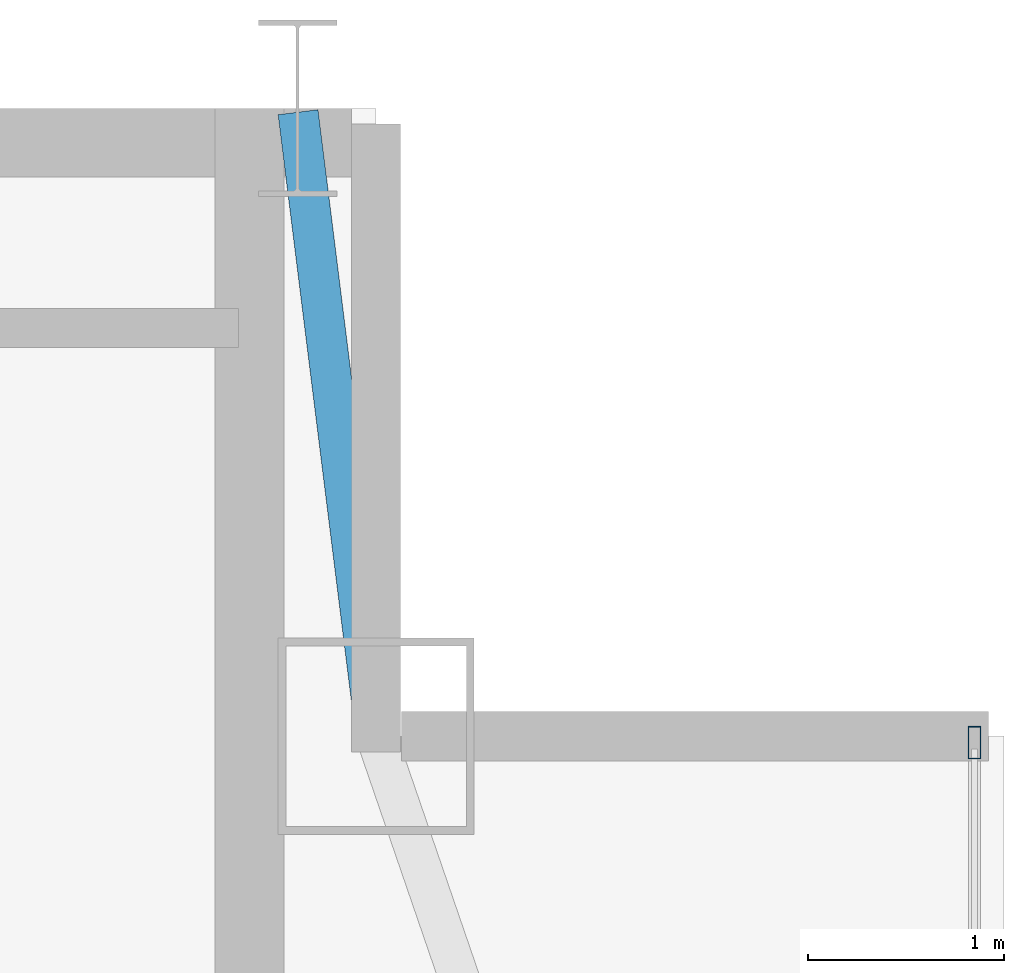
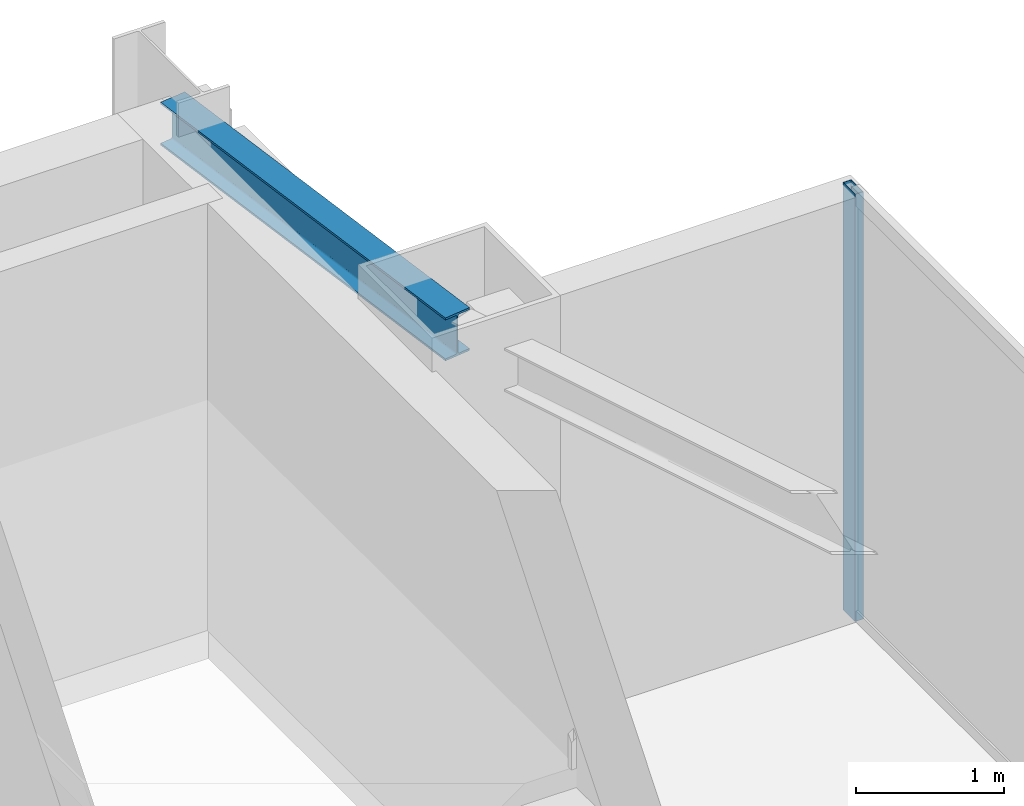
# One storey, part 16 of 21: 1 beam, 1 member, 1 element without a shape of its own.
"""IFC4 building model written with IfcOpenShell, lengths in metres."""

from ifc_helpers import new_model, si_unit, direction, frame, origin, origin_2d, place, context, subcontext, project, spatial, hollow_rectangle, i_section, extrude, source, transform, mapped, material, layer, layer_set, material_profile, profile_set, type_object, type_shapes, element, aggregate, save


model = new_model("IFC4")

# Units and contexts
model_context = context("Model", 3, precision=1e-05, world=origin(), true_north=direction((0.0, 1.0)))
body_context = subcontext(model_context, "Body", "Model", "MODEL_VIEW")
ifc_project = project(units=[si_unit("LENGTHUNIT", "METRE"), si_unit("AREAUNIT", "SQUARE_METRE"), si_unit("VOLUMEUNIT", "CUBIC_METRE"), si_unit("PLANEANGLEUNIT", "RADIAN"), si_unit("MASSUNIT", "GRAM", prefix="KILO")], contexts=[model_context])

# Site, building, storey
site_placement = place(None, origin())
site = spatial("IfcSite", under=ifc_project, at=site_placement, CompositionType="ELEMENT")
building_placement = place(site_placement, origin())
building = spatial("IfcBuilding", under=site, at=building_placement, Name="Varnel Quay Broadcast Tower", CompositionType="ELEMENT")
storey_placement = place(building_placement, frame((0.0, 0.0, 296.39990234375)))
storey = spatial("IfcBuildingStorey", under=building, at=storey_placement, Name="L74", CompositionType="ELEMENT", Elevation=296.39990234375)

# Beam
ifc_material_1 = material(Name="Structural Steel CSA G40.21 350W", Category="steel")
ifc_material_profile_1 = material_profile(ifc_material_1, i_section(OverallWidth=0.205078125, OverallDepth=0.35400390625, WebThickness=0.009521484375, FlangeThickness=0.016845703125, FilletRadius=0.012939453125, at=origin_2d()), Name="W360X79")
ifc_profile_set_1 = profile_set([ifc_material_profile_1], Name="Structural Steel CSA G40.21 350W")
beam_type = type_object("IfcBeamType", Name="Beam_W360X79", PredefinedType="SPANDREL", material=ifc_profile_set_1)
shared_shape_1 = source(origin(), body_context, "Body", "SweptSolid", [
    extrude(i_section(OverallWidth=0.205078125, OverallDepth=0.35400390625, WebThickness=0.009521484375, FlangeThickness=0.016845703125, FilletRadius=0.012939453125, at=origin_2d()), origin(), (0.0, 0.0, 1.0), 3.18505859375),
])
type_shapes(beam_type, [shared_shape_1])
beam_placement = place(storey_placement, frame((52.402587890625, 46.7802734375, 3.343017578125), z_axis=(0.124025300311, -0.992279055953, 0.0), x_axis=(0.992279055953, 0.124025300311, 0.0)))
element("IfcBeam", 1, at=beam_placement, inside=storey, type_object=beam_type, Name="L74 NE Tie Spandrel", PredefinedType="SPANDREL", context=body_context, shape_type="MappedRepresentation", body=[
    mapped(shared_shape_1, transform((0.0, 0.0, 0.0), x_axis=(1.0, 0.0, 0.0), y_axis=(0.0, 1.0, 0.0), z_axis=(0.0, 0.0, 1.0), scale=1.0)),
])

# Curtain wall, member
ifc_material_2 = material(Name="Anodised Bronze Aluminium 6063-T6", Category="aluminium")
ifc_layer = layer(ifc_material_2, 0.18994140625, Name="Anodised Bronze Aluminium 6063-T6")
ifc_layer_set = layer_set([ifc_layer], Name="Anodised Bronze Aluminium 6063-T6")
curtain_wall_type = type_object("IfcCurtainWallType", Name="CW_UpperTower", PredefinedType="NOTDEFINED", material=ifc_layer_set)
curtain_wall_placement = place(storey_placement, origin())
curtain_wall = element("IfcCurtainWall", 2, at=curtain_wall_placement, inside=storey, type_object=curtain_wall_type, Name="L74 East Unitised Curtain Wall", PredefinedType="NOTDEFINED")
ifc_material_profile_2 = material_profile(ifc_material_2, hollow_rectangle(XDim=0.06494140625, YDim=0.1650390625, WallThickness=0.00341796875, at=origin_2d()), Name="ALU65X165X3.5")
ifc_profile_set_2 = profile_set([ifc_material_profile_2], Name="Anodised Bronze Aluminium 6063-T6")
member_type = type_object("IfcMemberType", Name="Mull_CWS-03", PredefinedType="MULLION", material=ifc_profile_set_2)
shared_shape_2 = source(origin(), body_context, "Body", "SweptSolid", [
    extrude(hollow_rectangle(XDim=0.06494140625, YDim=0.1650390625, WallThickness=0.00341796875, at=origin_2d()), origin(), (0.0, 0.0, 1.0), 3.52001953125),
])
type_shapes(member_type, [shared_shape_2])
member_placement = place(storey_placement, frame((55.85009765625, 43.5673828125, 0.0), z_axis=(0.0, 0.0, 1.0), x_axis=(-1.0, 0.0, 0.0)))
member = element("IfcMember", 3, at=member_placement, type_object=member_type, Name="CWS-03 mullion 3", PredefinedType="MULLION", context=body_context, shape_type="MappedRepresentation", body=[
    mapped(shared_shape_2, transform((0.0, 0.0, 0.0), x_axis=(1.0, 0.0, 0.0), y_axis=(0.0, 1.0, 0.0), z_axis=(0.0, 0.0, 1.0), scale=1.0)),
])
aggregate(curtain_wall, [member])

save(model, "model.ifc")
